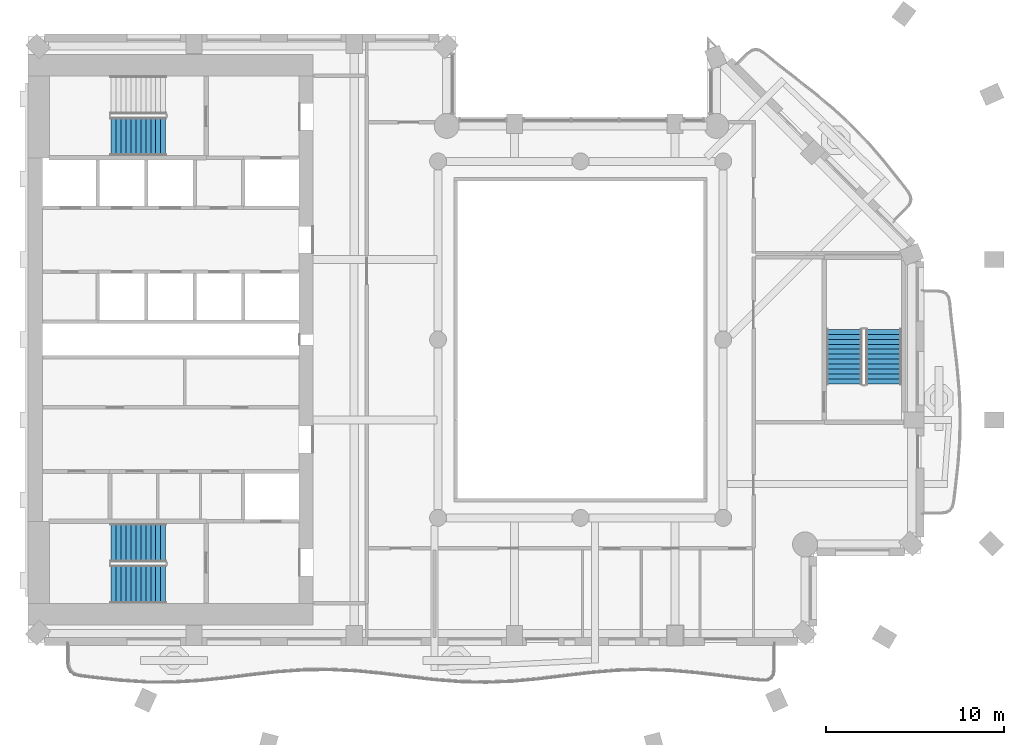
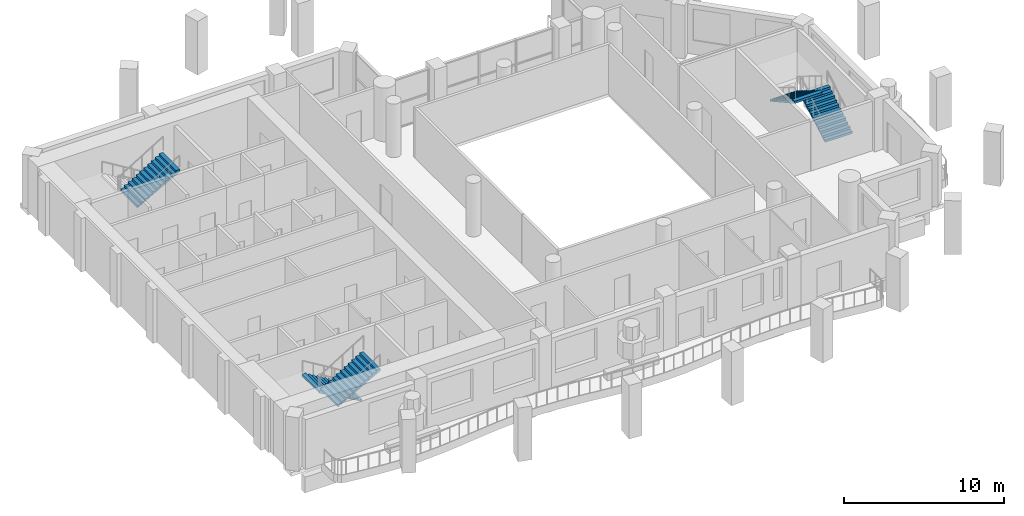
# One storey, part 8 of 15: 5 stair flights, 3 elements without a shape of their own.
"""IFC4 building model written with IfcOpenShell, lengths in metres."""

from ifc_helpers import new_model, si_unit, direction, frame, origin, place, context, subcontext, project, spatial, triangles, material, type_object, element, aggregate, save


model = new_model("IFC4")

# Units and contexts
model_context = context("Model", 3, precision=1e-05, world=origin(), true_north=direction((0.0, 1.0)))
body_context = subcontext(model_context, "Body", "Model", "MODEL_VIEW")
ifc_project = project(units=[si_unit("LENGTHUNIT", "METRE"), si_unit("AREAUNIT", "SQUARE_METRE"), si_unit("VOLUMEUNIT", "CUBIC_METRE"), si_unit("PLANEANGLEUNIT", "RADIAN"), si_unit("MASSUNIT", "GRAM", prefix="KILO")], contexts=[model_context])

# Site, building, storey
site_placement = place(None, origin())
site = spatial("IfcSite", under=ifc_project, at=site_placement, CompositionType="ELEMENT")
building_placement = place(site_placement, origin())
building = spatial("IfcBuilding", under=site, at=building_placement, Name="Cypress Arch Tower", CompositionType="ELEMENT")
storey_placement = place(building_placement, frame((0.0, 0.0, 213.800048828125)))
storey = spatial("IfcBuildingStorey", under=building, at=storey_placement, Name="L47", CompositionType="ELEMENT", Elevation=213.800048828125)

# Stair, stair flights
ifc_material_1 = material(Name="Concrete C40/50", Category="concrete")
stair_type_1 = type_object("IfcStairType", Name="Exit stair ES1708-200", PredefinedType="HALF_TURN_STAIR", material=ifc_material_1)
stair_1_placement = place(storey_placement, origin())
stair_1 = element("IfcStair", 1, at=stair_1_placement, inside=storey, type_object=stair_type_1, Name="L47 Exit stair C", PredefinedType="HALF_TURN_STAIR")
ifc_material_2 = material(Name="Concrete C40/50", Category="concrete")
stair_flight_type_1 = type_object("IfcStairFlightType", Name="Exit stair flight ES1708-200", PredefinedType="STRAIGHT", material=ifc_material_2)
stair_flight_1_placement = place(storey_placement, frame((18.0, -2.5, 0.0), z_axis=(0.0, 0.0, 1.0), x_axis=(0.0, 1.0, 0.0)))
stair_flight_1 = element("IfcStairFlight", 2, at=stair_flight_1_placement, type_object=stair_flight_type_1, Name="C flight 1", NumberOfRisers=12, NumberOfTreads=11, PredefinedType="STRAIGHT", RiserHeight=0.170833333, TreadLength=0.28, context=body_context, shape_type="Tessellation", body=[
    triangles([(0.0, -1.0, 0.0), (0.0, -1.0, 0.1708984375), (0.280029296875, -1.0, 0.1708984375), (0.280029296875, -1.0, 0.341552734375), (0.56005859375, -1.0, 0.341552734375), (0.56005859375, -1.0, 0.512451171875), (0.840087890625, -1.0, 0.512451171875), (0.840087890625, -1.0, 0.683349609375), (1.1201171875, -1.0, 0.683349609375), (1.1201171875, -1.0, 0.854248046875), (1.39990234375, -1.0, 0.854248046875), (1.39990234375, -1.0, 1.02490234375), (1.679931640625, -1.0, 1.02490234375), (1.679931640625, -1.0, 1.19580078125), (1.9599609375, -1.0, 1.19580078125), (1.9599609375, -1.0, 1.36669921875), (2.239990234375, -1.0, 1.36669921875), (2.239990234375, -1.0, 1.53759765625), (2.52001953125, -1.0, 1.53759765625), (2.52001953125, -1.0, 1.708251953125), (2.800048828125, -1.0, 1.708251953125), (2.800048828125, -1.0, 1.879150390625), (3.080078125, -1.0, 1.879150390625), (3.080078125, -1.0, 1.70361328125), (3.080078125, 1.0, 1.70361328125), (3.080078125, 1.0, 1.879150390625), (2.800048828125, 1.0, 1.879150390625), (2.800048828125, 1.0, 1.708251953125), (2.52001953125, 1.0, 1.708251953125), (2.52001953125, 1.0, 1.53759765625), (2.239990234375, 1.0, 1.53759765625), (2.239990234375, 1.0, 1.36669921875), (1.9599609375, 1.0, 1.36669921875), (1.9599609375, 1.0, 1.19580078125), (1.679931640625, 1.0, 1.19580078125), (1.679931640625, 1.0, 1.02490234375), (1.39990234375, 1.0, 1.02490234375), (1.39990234375, 1.0, 0.854248046875), (1.1201171875, 1.0, 0.854248046875), (1.1201171875, 1.0, 0.683349609375), (0.840087890625, 1.0, 0.683349609375), (0.840087890625, 1.0, 0.512451171875), (0.56005859375, 1.0, 0.512451171875), (0.56005859375, 1.0, 0.341552734375), (0.280029296875, 1.0, 0.341552734375), (0.280029296875, 1.0, 0.1708984375), (0.0, 1.0, 0.1708984375), (0.0, 1.0, 0.0), (3.080078125, 0.0, 1.879150390625), (3.080078125, 0.0, 1.70361328125), (2.800048828125, 0.0, 1.879150390625), (2.800048828125, 0.0, 1.708251953125), (2.52001953125, 0.0, 1.708251953125), (2.52001953125, 0.0, 1.53759765625), (2.239990234375, 0.0, 1.53759765625), (2.239990234375, 0.0, 1.36669921875), (1.9599609375, 0.0, 1.36669921875), (1.9599609375, 0.0, 1.19580078125), (1.679931640625, 0.0, 1.19580078125), (1.679931640625, 0.0, 1.02490234375), (1.39990234375, 0.0, 1.02490234375), (1.39990234375, 0.0, 0.854248046875), (1.1201171875, 0.0, 0.854248046875), (1.1201171875, 0.0, 0.683349609375), (0.840087890625, 0.0, 0.683349609375), (0.840087890625, 0.0, 0.512451171875), (0.56005859375, 0.0, 0.512451171875), (0.56005859375, 0.0, 0.341552734375), (0.280029296875, 0.0, 0.341552734375), (0.280029296875, 0.0, 0.1708984375), (0.0, 0.0, 0.1708984375), (0.0, 0.0, 0.0)], [[24, 23, 22], [11, 10, 9], [19, 18, 17], [17, 16, 15], [15, 14, 13], [9, 8, 7], [7, 6, 5], [3, 2, 1], [21, 20, 19], [13, 12, 11], [5, 4, 3], [24, 22, 21], [24, 21, 19], [24, 19, 17], [24, 17, 15], [24, 15, 13], [24, 13, 11], [24, 11, 9], [24, 9, 7], [24, 7, 5], [1, 24, 5], [5, 3, 1], [25, 27, 26], [38, 40, 39], [30, 32, 31], [32, 34, 33], [34, 36, 35], [40, 42, 41], [42, 44, 43], [46, 48, 47], [28, 30, 29], [36, 38, 37], [44, 46, 45], [25, 28, 27], [25, 30, 28], [25, 32, 30], [25, 34, 32], [25, 36, 34], [25, 38, 36], [25, 40, 38], [25, 42, 40], [25, 44, 42], [48, 44, 25], [44, 48, 46], [50, 49, 23], [50, 23, 24], [25, 26, 49], [25, 49, 50], [49, 51, 22], [49, 22, 23], [26, 27, 51], [26, 51, 49], [51, 52, 21], [51, 21, 22], [27, 28, 52], [27, 52, 51], [52, 53, 20], [52, 20, 21], [28, 29, 53], [28, 53, 52], [53, 54, 19], [53, 19, 20], [29, 30, 54], [29, 54, 53], [54, 55, 18], [54, 18, 19], [30, 31, 55], [30, 55, 54], [55, 56, 17], [55, 17, 18], [31, 32, 56], [31, 56, 55], [56, 57, 16], [56, 16, 17], [32, 33, 57], [32, 57, 56], [57, 58, 15], [57, 15, 16], [33, 34, 58], [33, 58, 57], [58, 59, 14], [58, 14, 15], [34, 35, 59], [34, 59, 58], [59, 60, 13], [59, 13, 14], [35, 36, 60], [35, 60, 59], [60, 61, 12], [60, 12, 13], [36, 37, 61], [36, 61, 60], [61, 62, 11], [61, 11, 12], [37, 38, 62], [37, 62, 61], [62, 63, 10], [62, 10, 11], [38, 39, 63], [38, 63, 62], [63, 64, 9], [63, 9, 10], [39, 40, 64], [39, 64, 63], [64, 65, 8], [64, 8, 9], [40, 41, 65], [40, 65, 64], [65, 66, 7], [65, 7, 8], [41, 42, 66], [41, 66, 65], [66, 67, 6], [66, 6, 7], [42, 43, 67], [42, 67, 66], [67, 68, 5], [67, 5, 6], [43, 44, 68], [43, 68, 67], [68, 69, 4], [68, 4, 5], [44, 45, 69], [44, 69, 68], [69, 70, 3], [69, 3, 4], [45, 46, 70], [45, 70, 69], [70, 71, 2], [70, 2, 3], [46, 47, 71], [46, 71, 70], [71, 72, 1], [71, 1, 2], [47, 48, 72], [47, 72, 71], [72, 50, 24], [72, 24, 1], [48, 25, 50], [48, 50, 72]], closed=True),
])
stair_flight_2_placement = place(storey_placement, frame((15.800048828125, 0.580078125, 2.050048828125), z_axis=(0.0, 0.0, 1.0), x_axis=(0.0, -1.0, 0.0)))
stair_flight_2 = element("IfcStairFlight", 3, at=stair_flight_2_placement, type_object=stair_flight_type_1, Name="C flight 2", NumberOfRisers=12, NumberOfTreads=11, PredefinedType="STRAIGHT", RiserHeight=0.170833333, TreadLength=0.28, context=body_context, shape_type="Tessellation", body=[
    triangles([(0.0, -1.0, 0.0), (0.0, -1.0, 0.1708984375), (0.280029296875, -1.0, 0.1708984375), (0.280029296875, -1.0, 0.341552734375), (0.56005859375, -1.0, 0.341552734375), (0.56005859375, -1.0, 0.512451171875), (0.840087890625, -1.0, 0.512451171875), (0.840087890625, -1.0, 0.683349609375), (1.1201171875, -1.0, 0.683349609375), (1.1201171875, -1.0, 0.854248046875), (1.39990234375, -1.0, 0.854248046875), (1.39990234375, -1.0, 1.02490234375), (1.679931640625, -1.0, 1.02490234375), (1.679931640625, -1.0, 1.19580078125), (1.9599609375, -1.0, 1.19580078125), (1.9599609375, -1.0, 1.36669921875), (2.239990234375, -1.0, 1.36669921875), (2.239990234375, -1.0, 1.53759765625), (2.52001953125, -1.0, 1.53759765625), (2.52001953125, -1.0, 1.708251953125), (2.800048828125, -1.0, 1.708251953125), (2.800048828125, -1.0, 1.879150390625), (3.080078125, -1.0, 1.879150390625), (3.080078125, -1.0, 1.70361328125), (3.080078125, 1.0, 1.70361328125), (3.080078125, 1.0, 1.879150390625), (2.800048828125, 1.0, 1.879150390625), (2.800048828125, 1.0, 1.708251953125), (2.52001953125, 1.0, 1.708251953125), (2.52001953125, 1.0, 1.53759765625), (2.239990234375, 1.0, 1.53759765625), (2.239990234375, 1.0, 1.36669921875), (1.9599609375, 1.0, 1.36669921875), (1.9599609375, 1.0, 1.19580078125), (1.679931640625, 1.0, 1.19580078125), (1.679931640625, 1.0, 1.02490234375), (1.39990234375, 1.0, 1.02490234375), (1.39990234375, 1.0, 0.854248046875), (1.1201171875, 1.0, 0.854248046875), (1.1201171875, 1.0, 0.683349609375), (0.840087890625, 1.0, 0.683349609375), (0.840087890625, 1.0, 0.512451171875), (0.56005859375, 1.0, 0.512451171875), (0.56005859375, 1.0, 0.341552734375), (0.280029296875, 1.0, 0.341552734375), (0.280029296875, 1.0, 0.1708984375), (0.0, 1.0, 0.1708984375), (0.0, 1.0, 0.0), (3.080078125, 0.0, 1.879150390625), (3.080078125, 0.0, 1.70361328125), (2.800048828125, 0.0, 1.879150390625), (2.800048828125, 0.0, 1.708251953125), (2.52001953125, 0.0, 1.708251953125), (2.52001953125, 0.0, 1.53759765625), (2.239990234375, 0.0, 1.53759765625), (2.239990234375, 0.0, 1.36669921875), (1.9599609375, 0.0, 1.36669921875), (1.9599609375, 0.0, 1.19580078125), (1.679931640625, 0.0, 1.19580078125), (1.679931640625, 0.0, 1.02490234375), (1.39990234375, 0.0, 1.02490234375), (1.39990234375, 0.0, 0.854248046875), (1.1201171875, 0.0, 0.854248046875), (1.1201171875, 0.0, 0.683349609375), (0.840087890625, 0.0, 0.683349609375), (0.840087890625, 0.0, 0.512451171875), (0.56005859375, 0.0, 0.512451171875), (0.56005859375, 0.0, 0.341552734375), (0.280029296875, 0.0, 0.341552734375), (0.280029296875, 0.0, 0.1708984375), (0.0, 0.0, 0.1708984375), (0.0, 0.0, 0.0)], [[24, 23, 22], [11, 10, 9], [19, 18, 17], [17, 16, 15], [15, 14, 13], [9, 8, 7], [7, 6, 5], [3, 2, 1], [21, 20, 19], [13, 12, 11], [5, 4, 3], [24, 22, 21], [24, 21, 19], [24, 19, 17], [24, 17, 15], [24, 15, 13], [24, 13, 11], [24, 11, 9], [24, 9, 7], [24, 7, 5], [1, 24, 5], [5, 3, 1], [25, 27, 26], [38, 40, 39], [30, 32, 31], [32, 34, 33], [34, 36, 35], [40, 42, 41], [42, 44, 43], [46, 48, 47], [28, 30, 29], [36, 38, 37], [44, 46, 45], [25, 28, 27], [25, 30, 28], [25, 32, 30], [25, 34, 32], [25, 36, 34], [25, 38, 36], [25, 40, 38], [25, 42, 40], [25, 44, 42], [48, 44, 25], [44, 48, 46], [50, 49, 23], [50, 23, 24], [25, 26, 49], [25, 49, 50], [49, 51, 22], [49, 22, 23], [26, 27, 51], [26, 51, 49], [51, 52, 21], [51, 21, 22], [27, 28, 52], [27, 52, 51], [52, 53, 20], [52, 20, 21], [28, 29, 53], [28, 53, 52], [53, 54, 19], [53, 19, 20], [29, 30, 54], [29, 54, 53], [54, 55, 18], [54, 18, 19], [30, 31, 55], [30, 55, 54], [55, 56, 17], [55, 17, 18], [31, 32, 56], [31, 56, 55], [56, 57, 16], [56, 16, 17], [32, 33, 57], [32, 57, 56], [57, 58, 15], [57, 15, 16], [33, 34, 58], [33, 58, 57], [58, 59, 14], [58, 14, 15], [34, 35, 59], [34, 59, 58], [59, 60, 13], [59, 13, 14], [35, 36, 60], [35, 60, 59], [60, 61, 12], [60, 12, 13], [36, 37, 61], [36, 61, 60], [61, 62, 11], [61, 11, 12], [37, 38, 62], [37, 62, 61], [62, 63, 10], [62, 10, 11], [38, 39, 63], [38, 63, 62], [63, 64, 9], [63, 9, 10], [39, 40, 64], [39, 64, 63], [64, 65, 8], [64, 8, 9], [40, 41, 65], [40, 65, 64], [65, 66, 7], [65, 7, 8], [41, 42, 66], [41, 66, 65], [66, 67, 6], [66, 6, 7], [42, 43, 67], [42, 67, 66], [67, 68, 5], [67, 5, 6], [43, 44, 68], [43, 68, 67], [68, 69, 4], [68, 4, 5], [44, 45, 69], [44, 69, 68], [69, 70, 3], [69, 3, 4], [45, 46, 70], [45, 70, 69], [70, 71, 2], [70, 2, 3], [46, 47, 71], [46, 71, 70], [71, 72, 1], [71, 1, 2], [47, 48, 72], [47, 72, 71], [72, 50, 24], [72, 24, 1], [48, 25, 50], [48, 50, 72]], closed=True),
])
aggregate(stair_1, [stair_flight_1, stair_flight_2])

ifc_material_3 = material(Name="Concrete C40/50", Category="concrete")
stair_type_2 = type_object("IfcStairType", Name="Exit stair ES1708-215", PredefinedType="HALF_TURN_STAIR", material=ifc_material_3)
stair_2_placement = place(storey_placement, origin())
stair_2 = element("IfcStair", 4, at=stair_2_placement, inside=storey, type_object=stair_type_2, Name="L47 Exit stair A", PredefinedType="HALF_TURN_STAIR")
ifc_material_4 = material(Name="Concrete C40/50", Category="concrete")
stair_flight_type_2 = type_object("IfcStairFlightType", Name="Exit stair flight ES1708-215", PredefinedType="STRAIGHT", material=ifc_material_4)
stair_flight_3_placement = place(storey_placement, frame((-22.27490234375, -11.39990234375, 0.0), z_axis=(0.0, 0.0, 1.0), x_axis=(-1.0, 0.0, 0.0)))
stair_flight_3 = element("IfcStairFlight", 5, at=stair_flight_3_placement, type_object=stair_flight_type_2, Name="A flight 1", NumberOfRisers=12, NumberOfTreads=11, PredefinedType="STRAIGHT", RiserHeight=0.170833333, TreadLength=0.28, context=body_context, shape_type="Tessellation", body=[
    triangles([(0.0, -1.074951171875, 0.0), (0.000244140625, -1.074951171875, 0.01904296875), (0.000244140625, -1.074951171875, 0.0380859375), (0.00048828125, -1.074951171875, 0.056884765625), (0.00048828125, -1.074951171875, 0.075927734375), (0.00048828125, -1.074951171875, 0.094970703125), (0.00048828125, -1.074951171875, 0.114013671875), (0.000244140625, -1.074951171875, 0.1328125), (0.000244140625, -1.074951171875, 0.15185546875), (0.0, -1.074951171875, 0.1708984375), (0.280029296875, -1.074951171875, 0.1708984375), (0.280029296875, -1.074951171875, 0.341552734375), (0.56005859375, -1.074951171875, 0.341552734375), (0.56005859375, -1.074951171875, 0.512451171875), (0.840087890625, -1.074951171875, 0.512451171875), (0.840087890625, -1.074951171875, 0.683349609375), (1.1201171875, -1.074951171875, 0.683349609375), (1.1201171875, -1.074951171875, 0.854248046875), (1.39990234375, -1.074951171875, 0.854248046875), (1.39990234375, -1.074951171875, 1.02490234375), (1.679931640625, -1.074951171875, 1.02490234375), (1.679931640625, -1.074951171875, 1.19580078125), (1.9599609375, -1.074951171875, 1.19580078125), (1.9599609375, -1.074951171875, 1.36669921875), (2.239990234375, -1.074951171875, 1.36669921875), (2.239990234375, -1.074951171875, 1.53759765625), (2.52001953125, -1.074951171875, 1.53759765625), (2.52001953125, -1.074951171875, 1.708251953125), (2.800048828125, -1.074951171875, 1.708251953125), (2.800048828125, -1.074951171875, 1.879150390625), (3.080078125, -1.074951171875, 1.879150390625), (3.079833984375, -1.074951171875, 1.859619140625), (3.079833984375, -1.074951171875, 1.840087890625), (3.07958984375, -1.074951171875, 1.820556640625), (3.07958984375, -1.074951171875, 1.801025390625), (3.07958984375, -1.074951171875, 1.78173828125), (3.07958984375, -1.074951171875, 1.76220703125), (3.079833984375, -1.074951171875, 1.74267578125), (3.079833984375, -1.074951171875, 1.72314453125), (3.080078125, -1.074951171875, 1.70361328125), (3.080078125, 1.074951171875, 1.70361328125), (3.079833984375, 1.074951171875, 1.72314453125), (3.079833984375, 1.074951171875, 1.74267578125), (3.07958984375, 1.074951171875, 1.76220703125), (3.07958984375, 1.074951171875, 1.78173828125), (3.07958984375, 1.074951171875, 1.801025390625), (3.07958984375, 1.074951171875, 1.820556640625), (3.079833984375, 1.074951171875, 1.840087890625), (3.079833984375, 1.074951171875, 1.859619140625), (3.080078125, 1.074951171875, 1.879150390625), (2.800048828125, 1.074951171875, 1.879150390625), (2.800048828125, 1.074951171875, 1.708251953125), (2.52001953125, 1.074951171875, 1.708251953125), (2.52001953125, 1.074951171875, 1.53759765625), (2.239990234375, 1.074951171875, 1.53759765625), (2.239990234375, 1.074951171875, 1.36669921875), (1.9599609375, 1.074951171875, 1.36669921875), (1.9599609375, 1.074951171875, 1.19580078125), (1.679931640625, 1.074951171875, 1.19580078125), (1.679931640625, 1.074951171875, 1.02490234375), (1.39990234375, 1.074951171875, 1.02490234375), (1.39990234375, 1.074951171875, 0.854248046875), (1.1201171875, 1.074951171875, 0.854248046875), (1.1201171875, 1.074951171875, 0.683349609375), (0.840087890625, 1.074951171875, 0.683349609375), (0.840087890625, 1.074951171875, 0.512451171875), (0.56005859375, 1.074951171875, 0.512451171875), (0.56005859375, 1.074951171875, 0.341552734375), (0.280029296875, 1.074951171875, 0.341552734375), (0.280029296875, 1.074951171875, 0.1708984375), (0.0, 1.074951171875, 0.1708984375), (0.000244140625, 1.074951171875, 0.15185546875), (0.000244140625, 1.074951171875, 0.1328125), (0.00048828125, 1.074951171875, 0.114013671875), (0.00048828125, 1.074951171875, 0.094970703125), (0.00048828125, 1.074951171875, 0.075927734375), (0.00048828125, 1.074951171875, 0.056884765625), (0.000244140625, 1.074951171875, 0.0380859375), (0.000244140625, 1.074951171875, 0.01904296875), (0.0, 1.074951171875, 0.0)], [[40, 39, 30], [39, 38, 30], [38, 37, 30], [37, 36, 30], [36, 35, 30], [35, 34, 30], [34, 33, 30], [33, 32, 30], [32, 31, 30], [19, 18, 17], [27, 26, 25], [25, 24, 23], [23, 22, 21], [17, 16, 15], [15, 14, 13], [10, 9, 11], [9, 8, 11], [8, 7, 11], [7, 6, 11], [6, 5, 11], [5, 4, 11], [4, 3, 11], [3, 2, 11], [2, 1, 11], [29, 28, 27], [21, 20, 19], [13, 12, 11], [40, 30, 29], [40, 29, 27], [40, 27, 25], [40, 25, 23], [40, 23, 21], [40, 21, 19], [40, 19, 17], [40, 17, 15], [40, 15, 13], [1, 40, 13], [13, 11, 1], [41, 51, 42], [42, 51, 43], [43, 51, 44], [44, 51, 45], [45, 51, 46], [46, 51, 47], [47, 51, 48], [48, 51, 49], [49, 51, 50], [62, 64, 63], [54, 56, 55], [56, 58, 57], [58, 60, 59], [64, 66, 65], [66, 68, 67], [71, 70, 72], [72, 70, 73], [73, 70, 74], [74, 70, 75], [75, 70, 76], [76, 70, 77], [77, 70, 78], [78, 70, 79], [79, 70, 80], [52, 54, 53], [60, 62, 61], [68, 70, 69], [41, 52, 51], [41, 54, 52], [41, 56, 54], [41, 58, 56], [41, 60, 58], [41, 62, 60], [41, 64, 62], [41, 66, 64], [41, 68, 66], [80, 68, 41], [68, 80, 70], [41, 42, 39], [41, 39, 40], [42, 43, 38], [42, 38, 39], [43, 44, 37], [43, 37, 38], [44, 45, 36], [44, 36, 37], [45, 46, 35], [45, 35, 36], [46, 47, 34], [46, 34, 35], [47, 48, 33], [47, 33, 34], [48, 49, 32], [48, 32, 33], [49, 50, 31], [49, 31, 32], [50, 51, 30], [50, 30, 31], [51, 52, 29], [51, 29, 30], [52, 53, 28], [52, 28, 29], [53, 54, 27], [53, 27, 28], [54, 55, 26], [54, 26, 27], [55, 56, 25], [55, 25, 26], [56, 57, 24], [56, 24, 25], [57, 58, 23], [57, 23, 24], [58, 59, 22], [58, 22, 23], [59, 60, 21], [59, 21, 22], [60, 61, 20], [60, 20, 21], [61, 62, 19], [61, 19, 20], [62, 63, 18], [62, 18, 19], [63, 64, 17], [63, 17, 18], [64, 65, 16], [64, 16, 17], [65, 66, 15], [65, 15, 16], [66, 67, 14], [66, 14, 15], [67, 68, 13], [67, 13, 14], [68, 69, 12], [68, 12, 13], [69, 70, 11], [69, 11, 12], [70, 71, 10], [70, 10, 11], [71, 72, 9], [71, 9, 10], [72, 73, 8], [72, 8, 9], [73, 74, 7], [73, 7, 8], [74, 75, 6], [74, 6, 7], [75, 76, 5], [75, 5, 6], [76, 77, 4], [76, 4, 5], [77, 78, 3], [77, 3, 4], [78, 79, 2], [78, 2, 3], [79, 80, 1], [79, 1, 2], [80, 41, 40], [80, 40, 1]], closed=True),
])
stair_flight_4_placement = place(storey_placement, frame((-25.35498046875, -13.72509765625, 2.050048828125), z_axis=(0.0, 0.0, 1.0), x_axis=(1.0, 0.0, 0.0)))
stair_flight_4 = element("IfcStairFlight", 6, at=stair_flight_4_placement, type_object=stair_flight_type_2, Name="A flight 2", NumberOfRisers=12, NumberOfTreads=11, PredefinedType="STRAIGHT", RiserHeight=0.170833333, TreadLength=0.28, context=body_context, shape_type="Tessellation", body=[
    triangles([(0.0, -1.074951171875, 0.0), (0.000244140625, -1.074951171875, 0.01904296875), (0.000244140625, -1.074951171875, 0.0380859375), (0.00048828125, -1.074951171875, 0.056884765625), (0.00048828125, -1.074951171875, 0.075927734375), (0.00048828125, -1.074951171875, 0.094970703125), (0.00048828125, -1.074951171875, 0.114013671875), (0.000244140625, -1.074951171875, 0.1328125), (0.000244140625, -1.074951171875, 0.15185546875), (0.0, -1.074951171875, 0.1708984375), (0.280029296875, -1.074951171875, 0.1708984375), (0.280029296875, -1.074951171875, 0.341552734375), (0.56005859375, -1.074951171875, 0.341552734375), (0.56005859375, -1.074951171875, 0.512451171875), (0.840087890625, -1.074951171875, 0.512451171875), (0.840087890625, -1.074951171875, 0.683349609375), (1.1201171875, -1.074951171875, 0.683349609375), (1.1201171875, -1.074951171875, 0.854248046875), (1.39990234375, -1.074951171875, 0.854248046875), (1.39990234375, -1.074951171875, 1.02490234375), (1.679931640625, -1.074951171875, 1.02490234375), (1.679931640625, -1.074951171875, 1.19580078125), (1.9599609375, -1.074951171875, 1.19580078125), (1.9599609375, -1.074951171875, 1.36669921875), (2.239990234375, -1.074951171875, 1.36669921875), (2.239990234375, -1.074951171875, 1.53759765625), (2.52001953125, -1.074951171875, 1.53759765625), (2.52001953125, -1.074951171875, 1.708251953125), (2.800048828125, -1.074951171875, 1.708251953125), (2.800048828125, -1.074951171875, 1.879150390625), (3.080078125, -1.074951171875, 1.879150390625), (3.079833984375, -1.074951171875, 1.859619140625), (3.079833984375, -1.074951171875, 1.840087890625), (3.07958984375, -1.074951171875, 1.820556640625), (3.07958984375, -1.074951171875, 1.801025390625), (3.07958984375, -1.074951171875, 1.78173828125), (3.07958984375, -1.074951171875, 1.76220703125), (3.079833984375, -1.074951171875, 1.74267578125), (3.079833984375, -1.074951171875, 1.72314453125), (3.080078125, -1.074951171875, 1.70361328125), (3.080078125, 1.074951171875, 1.70361328125), (3.079833984375, 1.074951171875, 1.72314453125), (3.079833984375, 1.074951171875, 1.74267578125), (3.07958984375, 1.074951171875, 1.76220703125), (3.07958984375, 1.074951171875, 1.78173828125), (3.07958984375, 1.074951171875, 1.801025390625), (3.07958984375, 1.074951171875, 1.820556640625), (3.079833984375, 1.074951171875, 1.840087890625), (3.079833984375, 1.074951171875, 1.859619140625), (3.080078125, 1.074951171875, 1.879150390625), (2.800048828125, 1.074951171875, 1.879150390625), (2.800048828125, 1.074951171875, 1.708251953125), (2.52001953125, 1.074951171875, 1.708251953125), (2.52001953125, 1.074951171875, 1.53759765625), (2.239990234375, 1.074951171875, 1.53759765625), (2.239990234375, 1.074951171875, 1.36669921875), (1.9599609375, 1.074951171875, 1.36669921875), (1.9599609375, 1.074951171875, 1.19580078125), (1.679931640625, 1.074951171875, 1.19580078125), (1.679931640625, 1.074951171875, 1.02490234375), (1.39990234375, 1.074951171875, 1.02490234375), (1.39990234375, 1.074951171875, 0.854248046875), (1.1201171875, 1.074951171875, 0.854248046875), (1.1201171875, 1.074951171875, 0.683349609375), (0.840087890625, 1.074951171875, 0.683349609375), (0.840087890625, 1.074951171875, 0.512451171875), (0.56005859375, 1.074951171875, 0.512451171875), (0.56005859375, 1.074951171875, 0.341552734375), (0.280029296875, 1.074951171875, 0.341552734375), (0.280029296875, 1.074951171875, 0.1708984375), (0.0, 1.074951171875, 0.1708984375), (0.000244140625, 1.074951171875, 0.15185546875), (0.000244140625, 1.074951171875, 0.1328125), (0.00048828125, 1.074951171875, 0.114013671875), (0.00048828125, 1.074951171875, 0.094970703125), (0.00048828125, 1.074951171875, 0.075927734375), (0.00048828125, 1.074951171875, 0.056884765625), (0.000244140625, 1.074951171875, 0.0380859375), (0.000244140625, 1.074951171875, 0.01904296875), (0.0, 1.074951171875, 0.0)], [[40, 39, 30], [39, 38, 30], [38, 37, 30], [37, 36, 30], [36, 35, 30], [35, 34, 30], [34, 33, 30], [33, 32, 30], [32, 31, 30], [19, 18, 17], [27, 26, 25], [25, 24, 23], [23, 22, 21], [17, 16, 15], [15, 14, 13], [10, 9, 11], [9, 8, 11], [8, 7, 11], [7, 6, 11], [6, 5, 11], [5, 4, 11], [4, 3, 11], [3, 2, 11], [2, 1, 11], [29, 28, 27], [21, 20, 19], [13, 12, 11], [40, 30, 29], [40, 29, 27], [40, 27, 25], [40, 25, 23], [40, 23, 21], [40, 21, 19], [40, 19, 17], [40, 17, 15], [40, 15, 13], [1, 40, 13], [13, 11, 1], [41, 51, 42], [42, 51, 43], [43, 51, 44], [44, 51, 45], [45, 51, 46], [46, 51, 47], [47, 51, 48], [48, 51, 49], [49, 51, 50], [62, 64, 63], [54, 56, 55], [56, 58, 57], [58, 60, 59], [64, 66, 65], [66, 68, 67], [71, 70, 72], [72, 70, 73], [73, 70, 74], [74, 70, 75], [75, 70, 76], [76, 70, 77], [77, 70, 78], [78, 70, 79], [79, 70, 80], [52, 54, 53], [60, 62, 61], [68, 70, 69], [41, 52, 51], [41, 54, 52], [41, 56, 54], [41, 58, 56], [41, 60, 58], [41, 62, 60], [41, 64, 62], [41, 66, 64], [41, 68, 66], [80, 68, 41], [68, 80, 70], [41, 42, 39], [41, 39, 40], [42, 43, 38], [42, 38, 39], [43, 44, 37], [43, 37, 38], [44, 45, 36], [44, 36, 37], [45, 46, 35], [45, 35, 36], [46, 47, 34], [46, 34, 35], [47, 48, 33], [47, 33, 34], [48, 49, 32], [48, 32, 33], [49, 50, 31], [49, 31, 32], [50, 51, 30], [50, 30, 31], [51, 52, 29], [51, 29, 30], [52, 53, 28], [52, 28, 29], [53, 54, 27], [53, 27, 28], [54, 55, 26], [54, 26, 27], [55, 56, 25], [55, 25, 26], [56, 57, 24], [56, 24, 25], [57, 58, 23], [57, 23, 24], [58, 59, 22], [58, 22, 23], [59, 60, 21], [59, 21, 22], [60, 61, 20], [60, 20, 21], [61, 62, 19], [61, 19, 20], [62, 63, 18], [62, 18, 19], [63, 64, 17], [63, 17, 18], [64, 65, 16], [64, 16, 17], [65, 66, 15], [65, 15, 16], [66, 67, 14], [66, 14, 15], [67, 68, 13], [67, 13, 14], [68, 69, 12], [68, 12, 13], [69, 70, 11], [69, 11, 12], [70, 71, 10], [70, 10, 11], [71, 72, 9], [71, 9, 10], [72, 73, 8], [72, 8, 9], [73, 74, 7], [73, 7, 8], [74, 75, 6], [74, 6, 7], [75, 76, 5], [75, 5, 6], [76, 77, 4], [76, 4, 5], [77, 78, 3], [77, 3, 4], [78, 79, 2], [78, 2, 3], [79, 80, 1], [79, 1, 2], [80, 41, 40], [80, 40, 1]], closed=True),
])
aggregate(stair_2, [stair_flight_3, stair_flight_4])

# Stair, stair flight
stair_3_placement = place(storey_placement, origin())
stair_3 = element("IfcStair", 7, at=stair_3_placement, inside=storey, type_object=stair_type_2, Name="L47 Exit stair B", PredefinedType="HALF_TURN_STAIR")
stair_flight_5_placement = place(storey_placement, frame((-25.35498046875, 11.39990234375, 2.050048828125), z_axis=(0.0, 0.0, 1.0), x_axis=(1.0, 0.0, 0.0)))
stair_flight_5 = element("IfcStairFlight", 8, at=stair_flight_5_placement, type_object=stair_flight_type_2, Name="B flight 2", NumberOfRisers=12, NumberOfTreads=11, PredefinedType="STRAIGHT", RiserHeight=0.170833333, TreadLength=0.28, context=body_context, shape_type="Tessellation", body=[
    triangles([(0.0, -1.074951171875, 0.0), (0.000244140625, -1.074951171875, 0.01904296875), (0.000244140625, -1.074951171875, 0.0380859375), (0.00048828125, -1.074951171875, 0.056884765625), (0.00048828125, -1.074951171875, 0.075927734375), (0.00048828125, -1.074951171875, 0.094970703125), (0.00048828125, -1.074951171875, 0.114013671875), (0.000244140625, -1.074951171875, 0.1328125), (0.000244140625, -1.074951171875, 0.15185546875), (0.0, -1.074951171875, 0.1708984375), (0.280029296875, -1.074951171875, 0.1708984375), (0.280029296875, -1.074951171875, 0.341552734375), (0.56005859375, -1.074951171875, 0.341552734375), (0.56005859375, -1.074951171875, 0.512451171875), (0.840087890625, -1.074951171875, 0.512451171875), (0.840087890625, -1.074951171875, 0.683349609375), (1.1201171875, -1.074951171875, 0.683349609375), (1.1201171875, -1.074951171875, 0.854248046875), (1.39990234375, -1.074951171875, 0.854248046875), (1.39990234375, -1.074951171875, 1.02490234375), (1.679931640625, -1.074951171875, 1.02490234375), (1.679931640625, -1.074951171875, 1.19580078125), (1.9599609375, -1.074951171875, 1.19580078125), (1.9599609375, -1.074951171875, 1.36669921875), (2.239990234375, -1.074951171875, 1.36669921875), (2.239990234375, -1.074951171875, 1.53759765625), (2.52001953125, -1.074951171875, 1.53759765625), (2.52001953125, -1.074951171875, 1.708251953125), (2.800048828125, -1.074951171875, 1.708251953125), (2.800048828125, -1.074951171875, 1.879150390625), (3.080078125, -1.074951171875, 1.879150390625), (3.079833984375, -1.074951171875, 1.859619140625), (3.079833984375, -1.074951171875, 1.840087890625), (3.07958984375, -1.074951171875, 1.820556640625), (3.07958984375, -1.074951171875, 1.801025390625), (3.07958984375, -1.074951171875, 1.78173828125), (3.07958984375, -1.074951171875, 1.76220703125), (3.079833984375, -1.074951171875, 1.74267578125), (3.079833984375, -1.074951171875, 1.72314453125), (3.080078125, -1.074951171875, 1.70361328125), (3.080078125, 1.074951171875, 1.70361328125), (3.079833984375, 1.074951171875, 1.72314453125), (3.079833984375, 1.074951171875, 1.74267578125), (3.07958984375, 1.074951171875, 1.76220703125), (3.07958984375, 1.074951171875, 1.78173828125), (3.07958984375, 1.074951171875, 1.801025390625), (3.07958984375, 1.074951171875, 1.820556640625), (3.079833984375, 1.074951171875, 1.840087890625), (3.079833984375, 1.074951171875, 1.859619140625), (3.080078125, 1.074951171875, 1.879150390625), (2.800048828125, 1.074951171875, 1.879150390625), (2.800048828125, 1.074951171875, 1.708251953125), (2.52001953125, 1.074951171875, 1.708251953125), (2.52001953125, 1.074951171875, 1.53759765625), (2.239990234375, 1.074951171875, 1.53759765625), (2.239990234375, 1.074951171875, 1.36669921875), (1.9599609375, 1.074951171875, 1.36669921875), (1.9599609375, 1.074951171875, 1.19580078125), (1.679931640625, 1.074951171875, 1.19580078125), (1.679931640625, 1.074951171875, 1.02490234375), (1.39990234375, 1.074951171875, 1.02490234375), (1.39990234375, 1.074951171875, 0.854248046875), (1.1201171875, 1.074951171875, 0.854248046875), (1.1201171875, 1.074951171875, 0.683349609375), (0.840087890625, 1.074951171875, 0.683349609375), (0.840087890625, 1.074951171875, 0.512451171875), (0.56005859375, 1.074951171875, 0.512451171875), (0.56005859375, 1.074951171875, 0.341552734375), (0.280029296875, 1.074951171875, 0.341552734375), (0.280029296875, 1.074951171875, 0.1708984375), (0.0, 1.074951171875, 0.1708984375), (0.000244140625, 1.074951171875, 0.15185546875), (0.000244140625, 1.074951171875, 0.1328125), (0.00048828125, 1.074951171875, 0.114013671875), (0.00048828125, 1.074951171875, 0.094970703125), (0.00048828125, 1.074951171875, 0.075927734375), (0.00048828125, 1.074951171875, 0.056884765625), (0.000244140625, 1.074951171875, 0.0380859375), (0.000244140625, 1.074951171875, 0.01904296875), (0.0, 1.074951171875, 0.0)], [[40, 39, 30], [39, 38, 30], [38, 37, 30], [37, 36, 30], [36, 35, 30], [35, 34, 30], [34, 33, 30], [33, 32, 30], [32, 31, 30], [19, 18, 17], [27, 26, 25], [25, 24, 23], [23, 22, 21], [17, 16, 15], [15, 14, 13], [10, 9, 11], [9, 8, 11], [8, 7, 11], [7, 6, 11], [6, 5, 11], [5, 4, 11], [4, 3, 11], [3, 2, 11], [2, 1, 11], [29, 28, 27], [21, 20, 19], [13, 12, 11], [40, 30, 29], [40, 29, 27], [40, 27, 25], [40, 25, 23], [40, 23, 21], [40, 21, 19], [40, 19, 17], [40, 17, 15], [40, 15, 13], [1, 40, 13], [13, 11, 1], [41, 51, 42], [42, 51, 43], [43, 51, 44], [44, 51, 45], [45, 51, 46], [46, 51, 47], [47, 51, 48], [48, 51, 49], [49, 51, 50], [62, 64, 63], [54, 56, 55], [56, 58, 57], [58, 60, 59], [64, 66, 65], [66, 68, 67], [71, 70, 72], [72, 70, 73], [73, 70, 74], [74, 70, 75], [75, 70, 76], [76, 70, 77], [77, 70, 78], [78, 70, 79], [79, 70, 80], [52, 54, 53], [60, 62, 61], [68, 70, 69], [41, 52, 51], [41, 54, 52], [41, 56, 54], [41, 58, 56], [41, 60, 58], [41, 62, 60], [41, 64, 62], [41, 66, 64], [41, 68, 66], [80, 68, 41], [68, 80, 70], [41, 42, 39], [41, 39, 40], [42, 43, 38], [42, 38, 39], [43, 44, 37], [43, 37, 38], [44, 45, 36], [44, 36, 37], [45, 46, 35], [45, 35, 36], [46, 47, 34], [46, 34, 35], [47, 48, 33], [47, 33, 34], [48, 49, 32], [48, 32, 33], [49, 50, 31], [49, 31, 32], [50, 51, 30], [50, 30, 31], [51, 52, 29], [51, 29, 30], [52, 53, 28], [52, 28, 29], [53, 54, 27], [53, 27, 28], [54, 55, 26], [54, 26, 27], [55, 56, 25], [55, 25, 26], [56, 57, 24], [56, 24, 25], [57, 58, 23], [57, 23, 24], [58, 59, 22], [58, 22, 23], [59, 60, 21], [59, 21, 22], [60, 61, 20], [60, 20, 21], [61, 62, 19], [61, 19, 20], [62, 63, 18], [62, 18, 19], [63, 64, 17], [63, 17, 18], [64, 65, 16], [64, 16, 17], [65, 66, 15], [65, 15, 16], [66, 67, 14], [66, 14, 15], [67, 68, 13], [67, 13, 14], [68, 69, 12], [68, 12, 13], [69, 70, 11], [69, 11, 12], [70, 71, 10], [70, 10, 11], [71, 72, 9], [71, 9, 10], [72, 73, 8], [72, 8, 9], [73, 74, 7], [73, 7, 8], [74, 75, 6], [74, 6, 7], [75, 76, 5], [75, 5, 6], [76, 77, 4], [76, 4, 5], [77, 78, 3], [77, 3, 4], [78, 79, 2], [78, 2, 3], [79, 80, 1], [79, 1, 2], [80, 41, 40], [80, 40, 1]], closed=True),
])
aggregate(stair_3, [stair_flight_5])

save(model, "model.ifc")
